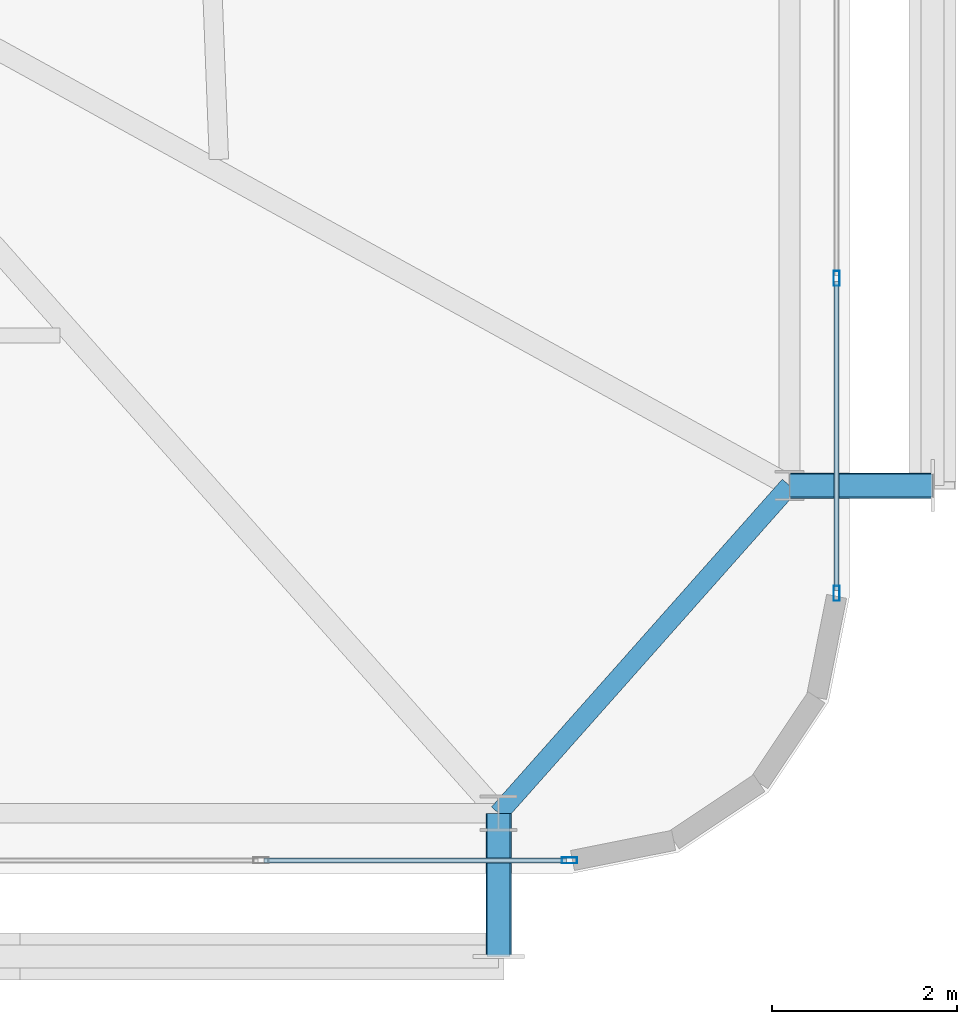
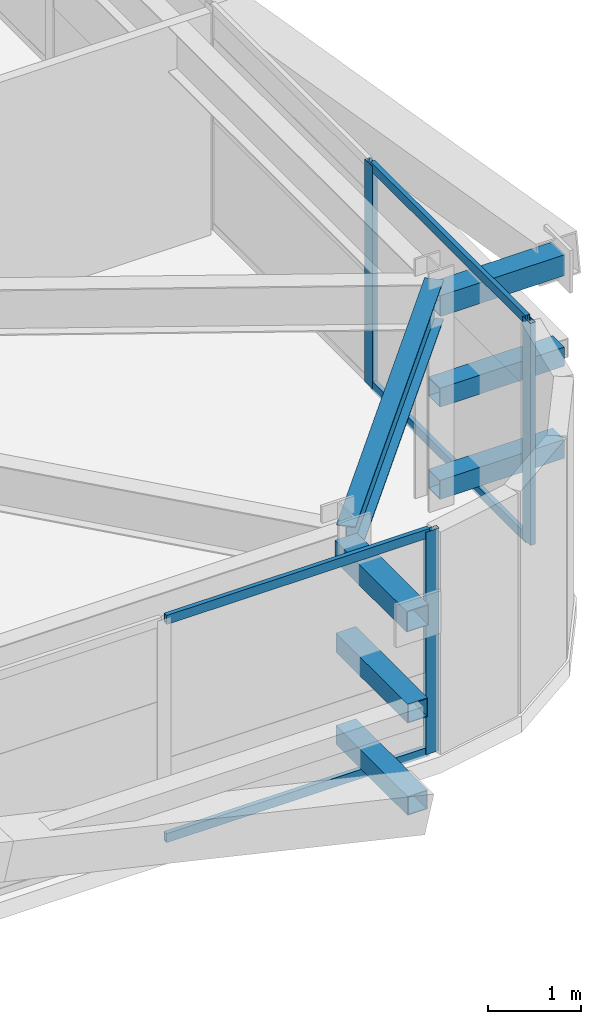
# One storey, part 24 of 59: 13 members, 1 beam, 2 elements without a shape of their own.
"""IFC4 building model written with IfcOpenShell, lengths in metres."""

from ifc_helpers import new_model, si_unit, direction, frame, origin, origin_2d, place, context, subcontext, project, spatial, hollow_rectangle, i_section, extrude, source, transform, mapped, material, layer, layer_set, material_profile, profile_set, type_object, element, aggregate, save


model = new_model("IFC4")

# Units and contexts
model_context = context("Model", 3, precision=1e-05, world=origin(), true_north=direction((0.0, 1.0)))
body_context = subcontext(model_context, "Body", "Model", "MODEL_VIEW")
ifc_project = project(units=[si_unit("LENGTHUNIT", "METRE"), si_unit("AREAUNIT", "SQUARE_METRE"), si_unit("VOLUMEUNIT", "CUBIC_METRE"), si_unit("PLANEANGLEUNIT", "RADIAN"), si_unit("MASSUNIT", "GRAM", prefix="KILO")], contexts=[model_context])

# Site, building, storey
site_placement = place(None, origin())
site = spatial("IfcSite", under=ifc_project, at=site_placement, CompositionType="ELEMENT")
building_placement = place(site_placement, origin())
building = spatial("IfcBuilding", under=site, at=building_placement, Name="Taldren Reach Tower", CompositionType="ELEMENT")
storey_placement = place(building_placement, frame((0.0, 0.0, 26.25)))
storey = spatial("IfcBuildingStorey", under=building, at=storey_placement, Name="L07", CompositionType="ELEMENT", Elevation=26.25)

# Beam
ifc_material_1 = material(Name="Steel Gr 350 (350PLUS)", Category="steel")
ifc_material_profile_1 = material_profile(ifc_material_1, i_section(OverallWidth=0.208984375, OverallDepth=0.528076171875, WebThickness=0.009521484375, FlangeThickness=0.01318359375, at=origin_2d()), Name="530UB82.0")
ifc_profile_set_1 = profile_set([ifc_material_profile_1], Name="Steel Gr 350 (350PLUS)")
beam_type = type_object("IfcBeamType", Name="SP-UB530B", PredefinedType="SPANDREL", material=ifc_profile_set_1)
shared_shape_1 = source(origin(), body_context, "Body", "SweptSolid", [
    extrude(i_section(OverallWidth=0.208984375, OverallDepth=0.528076171875, WebThickness=0.009521484375, FlangeThickness=0.01318359375, at=origin_2d()), origin(), (0.0, 0.0, 1.0), 4.74609375),
])
beam_placement = place(storey_placement, frame((61.199951171875, 2.14990234375, 2.666015625), z_axis=(0.663721843779, 0.747979487747, 0.0), x_axis=(-0.747979487747, 0.663721843779, 0.0)))
element("IfcBeam", 1, at=beam_placement, inside=storey, type_object=beam_type, Name="Perimeter spandrel B1 S6-E1 L07", PredefinedType="SPANDREL", context=body_context, shape_type="MappedRepresentation", body=[
    mapped(shared_shape_1, transform((0.0, 0.0, 0.0), scale=1.0)),
])

# Members
ifc_material_2 = material(Name="Steel Gr 450 (C450L0)", Category="steel")
ifc_material_profile_2 = material_profile(ifc_material_2, hollow_rectangle(XDim=0.27490234375, YDim=0.27490234375, WallThickness=0.00927734375, at=origin_2d()), Name="275x275x9.3SHS")
ifc_profile_set_2 = profile_set([ifc_material_profile_2], Name="Steel Gr 450 (C450L0)")
member_type_1 = type_object("IfcMemberType", Name="MB-TIE273", PredefinedType="STRUT", material=ifc_profile_set_2)
shared_shape_2 = source(origin(), body_context, "Body", "SweptSolid", [
    extrude(hollow_rectangle(XDim=0.27490234375, YDim=0.27490234375, WallThickness=0.00927734375, at=origin_2d()), origin(), (0.0, 0.0, 1.0), 1.5498046875),
])
for number, where, z_axis, x_axis, name in (
    (2, (61.199951171875, 2.14990234375, 2.64990234375), (0.0, -1.0, 0.0), (1.0, 0.0, 0.0), "Exoskeleton diaphragm tie strut B1-S6 L07"),
    (3, (64.35009765625, 5.699951171875, 2.64990234375), (1.0, 0.0, 0.0), (0.0, 1.0, 0.0), "Exoskeleton diaphragm tie strut B1-E1 L07"),
):
    element("IfcMember", number, at=place(storey_placement, frame(where, z_axis=z_axis, x_axis=x_axis)), inside=storey, type_object=member_type_1, Name=name, PredefinedType="STRUT", context=body_context, shape_type="MappedRepresentation", body=[
        mapped(shared_shape_2, transform((0.0, 0.0, 0.0), scale=1.0)),
    ])
ifc_material_3 = material(Name="Steel Gr 350 (C350L0)", Category="steel")
ifc_material_profile_3 = material_profile(ifc_material_3, hollow_rectangle(XDim=0.25, YDim=0.25, WallThickness=0.010009765625, at=origin_2d()), Name="250x250x10.0SHS")
ifc_profile_set_3 = profile_set([ifc_material_profile_3], Name="Steel Gr 350 (C350L0)")
member_type_2 = type_object("IfcMemberType", Name="MB-POST250", PredefinedType="POST", material=ifc_profile_set_3)
shared_shape_3 = source(origin(), body_context, "Body", "SweptSolid", [
    extrude(hollow_rectangle(XDim=0.25, YDim=0.25, WallThickness=0.010009765625, at=origin_2d()), origin(), (0.0, 0.0, 1.0), 1.5498046875),
])
for number, where, z_axis, x_axis, name in (
    (4, (61.199951171875, 2.14990234375, 0.219970703125), (0.0, -1.0, 0.0), (1.0, 0.0, 0.0), "Exoskeleton base diaphragm tie strut B1-S6 L07"),
    (5, (64.35009765625, 5.699951171875, 0.219970703125), (1.0, 0.0, 0.0), (0.0, 1.0, 0.0), "Exoskeleton base diaphragm tie strut B1-E1 L07"),
    (6, (61.199951171875, 2.14990234375, 1.43505859375), (0.0, -1.0, 0.0), (1.0, 0.0, 0.0), "Exoskeleton mid-tier diaphragm tie B1-S6 L07"),
    (7, (64.35009765625, 5.699951171875, 1.43505859375), (1.0, 0.0, 0.0), (0.0, 1.0, 0.0), "Exoskeleton mid-tier diaphragm tie B1-E1 L07"),
):
    element("IfcMember", number, at=place(storey_placement, frame(where, z_axis=z_axis, x_axis=x_axis)), inside=storey, type_object=member_type_2, Name=name, PredefinedType="POST", context=body_context, shape_type="MappedRepresentation", body=[
        mapped(shared_shape_3, transform((0.0, 0.0, 0.0), scale=1.0)),
    ])

# Curtain wall, member
ifc_material_4 = material(Name="Aluminium and Low-E Glass Unitised System", Category="aluminium")
ifc_layer = layer(ifc_material_4, 0.159912109375)
ifc_layer_set = layer_set([ifc_layer], Name="Aluminium and Low-E Glass Unitised System")
curtain_wall_type = type_object("IfcCurtainWallType", Name="CW-SYS-2", PredefinedType="NOTDEFINED", material=ifc_layer_set)
curtain_wall_1_placement = place(storey_placement, origin())
curtain_wall_1 = element("IfcCurtainWall", 8, at=curtain_wall_1_placement, inside=storey, type_object=curtain_wall_type, Name="Unitised curtain wall CW-L07-S", PredefinedType="NOTDEFINED")
ifc_material_5 = material(Name="Anodised Aluminium 6063-T6", Category="aluminium")
ifc_material_profile_4 = material_profile(ifc_material_5, hollow_rectangle(XDim=0.06494140625, YDim=0.1650390625, WallThickness=0.00390625, at=origin_2d()), Name="ALU-165x65x4RHS")
ifc_profile_set_4 = profile_set([ifc_material_profile_4], Name="Anodised Aluminium 6063-T6")
member_type_3 = type_object("IfcMemberType", Name="CW-MUL-165", PredefinedType="MULLION", material=ifc_profile_set_4)
shared_shape_4 = source(origin(), body_context, "Body", "SweptSolid", [
    extrude(hollow_rectangle(XDim=0.06494140625, YDim=0.1650390625, WallThickness=0.00390625, at=origin_2d()), origin(), (0.0, 0.0, 1.0), 2.929931640625),
])
member_1_placement = place(storey_placement, frame((61.967529296875, 1.639892578125, 0.0), z_axis=(0.0, 0.0, 1.0), x_axis=(0.0, 1.0, 0.0)))
member_1 = element("IfcMember", 9, at=member_1_placement, type_object=member_type_3, Name="CW-2 mullion 17", PredefinedType="MULLION", context=body_context, shape_type="MappedRepresentation", body=[
    mapped(shared_shape_4, transform((0.0, 0.0, 0.0), scale=1.0)),
])

# Curtain wall, members
curtain_wall_2_placement = place(storey_placement, origin())
curtain_wall_2 = element("IfcCurtainWall", 10, at=curtain_wall_2_placement, inside=storey, type_object=curtain_wall_type, Name="Unitised curtain wall CW-L07-E", PredefinedType="NOTDEFINED")
member_2_placement = place(storey_placement, frame((64.860107421875, 4.532470703125, 0.0), z_axis=(0.0, 0.0, 1.0), x_axis=(-1.0, 0.0, 0.0)))
member_2 = element("IfcMember", 11, at=member_2_placement, type_object=member_type_3, Name="CW-2 mullion 1", PredefinedType="MULLION", context=body_context, shape_type="MappedRepresentation", body=[
    mapped(shared_shape_4, transform((0.0, 0.0, 0.0), scale=1.0)),
])
member_3_placement = place(storey_placement, frame((64.860107421875, 7.9443359375, 0.0), z_axis=(0.0, 0.0, 1.0), x_axis=(-1.0, 0.0, 0.0)))
member_3 = element("IfcMember", 12, at=member_3_placement, type_object=member_type_3, Name="CW-2 mullion 2", PredefinedType="MULLION", context=body_context, shape_type="MappedRepresentation", body=[
    mapped(shared_shape_4, transform((0.0, 0.0, 0.0), scale=1.0)),
])

# Member
ifc_material_profile_5 = material_profile(ifc_material_5, hollow_rectangle(XDim=0.054931640625, YDim=0.1201171875, WallThickness=0.0029296875, at=origin_2d()), Name="ALU-120x55x3RHS")
ifc_profile_set_5 = profile_set([ifc_material_profile_5], Name="Anodised Aluminium 6063-T6")
member_type_4 = type_object("IfcMemberType", Name="CW-TRN-135", PredefinedType="USERDEFINED", material=ifc_profile_set_5)
shared_shape_5 = source(origin(), body_context, "Body", "SweptSolid", [
    extrude(hollow_rectangle(XDim=0.054931640625, YDim=0.1201171875, WallThickness=0.0029296875, at=origin_2d()), origin(), (0.0, 0.0, 1.0), 3.277587890625),
])
member_4_placement = place(storey_placement, frame((58.657470703125, 1.639892578125, 0.027587890625), z_axis=(1.0, 0.0, 0.0), x_axis=(0.0, 1.0, 0.0)))
member_4 = element("IfcMember", 13, at=member_4_placement, type_object=member_type_4, Name="CW-2 transom 16.1", ObjectType="TRANSOM", PredefinedType="USERDEFINED", context=body_context, shape_type="MappedRepresentation", body=[
    mapped(shared_shape_5, transform((0.0, 0.0, 0.0), scale=1.0)),
])

member_5_placement = place(storey_placement, frame((58.657470703125, 1.639892578125, 2.902587890625), z_axis=(1.0, 0.0, 0.0), x_axis=(0.0, 1.0, 0.0)))
member_5 = element("IfcMember", 14, at=member_5_placement, type_object=member_type_4, Name="CW-2 transom 16.2", ObjectType="TRANSOM", PredefinedType="USERDEFINED", context=body_context, shape_type="MappedRepresentation", body=[
    mapped(shared_shape_5, transform((0.0, 0.0, 0.0), scale=1.0)),
])

aggregate(curtain_wall_1, [member_1, member_4, member_5])

shared_shape_6 = source(origin(), body_context, "Body", "SweptSolid", [
    extrude(hollow_rectangle(XDim=0.054931640625, YDim=0.1201171875, WallThickness=0.0029296875, at=origin_2d()), origin(), (0.0, 0.0, 1.0), 3.346923828125),
])
member_6_placement = place(storey_placement, frame((64.860107421875, 4.56494140625, 0.027587890625), z_axis=(0.0, 1.0, 0.0), x_axis=(-1.0, 0.0, 0.0)))
member_6 = element("IfcMember", 15, at=member_6_placement, type_object=member_type_4, Name="CW-2 transom 1.1", ObjectType="TRANSOM", PredefinedType="USERDEFINED", context=body_context, shape_type="MappedRepresentation", body=[
    mapped(shared_shape_6, transform((0.0, 0.0, 0.0), scale=1.0)),
])

member_7_placement = place(storey_placement, frame((64.860107421875, 4.56494140625, 2.902587890625), z_axis=(0.0, 1.0, 0.0), x_axis=(-1.0, 0.0, 0.0)))
member_7 = element("IfcMember", 16, at=member_7_placement, type_object=member_type_4, Name="CW-2 transom 1.2", ObjectType="TRANSOM", PredefinedType="USERDEFINED", context=body_context, shape_type="MappedRepresentation", body=[
    mapped(shared_shape_6, transform((0.0, 0.0, 0.0), scale=1.0)),
])

aggregate(curtain_wall_2, [member_2, member_3, member_6, member_7])

save(model, "model.ifc")
